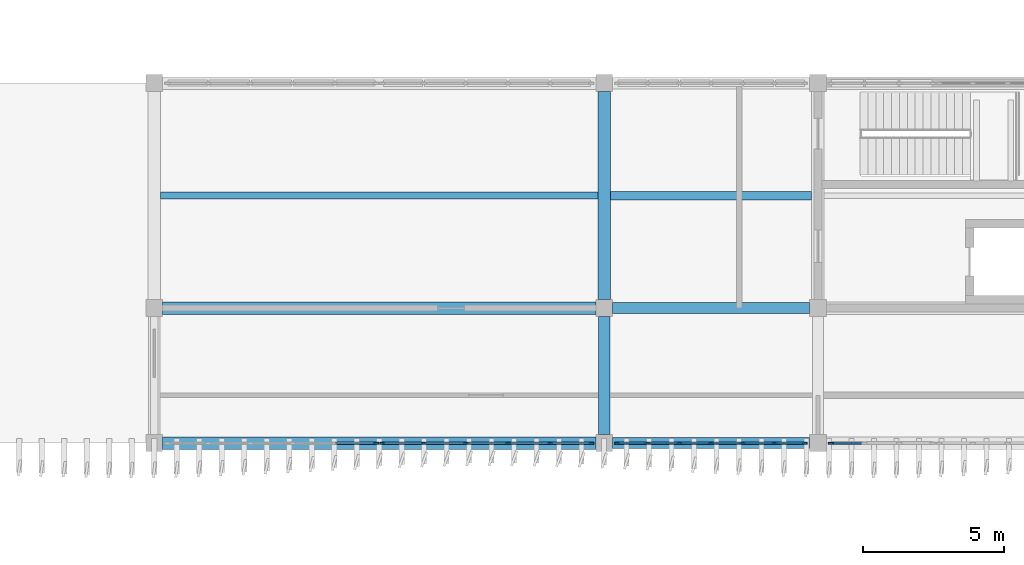
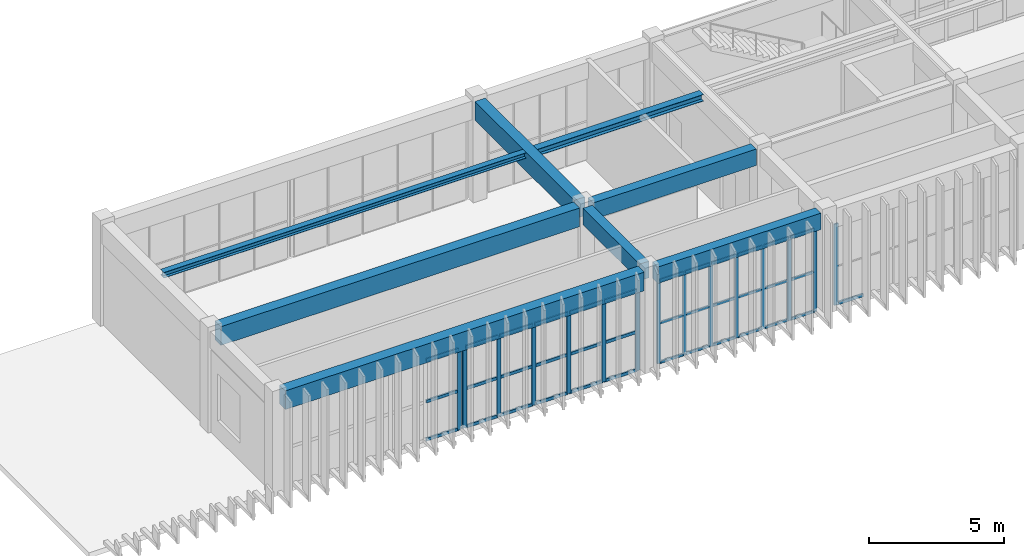
# One storey, part 32 of 76: 52 members, 8 beams, 4 elements without a shape of their own.
"""IFC4 building model written with IfcOpenShell, lengths in metres."""

from ifc_helpers import new_model, si_unit, direction, frame, origin, origin_2d, place, context, subcontext, project, spatial, rectangle, i_section, extrude, material, layer, layer_set, material_profile, profile_set, type_object, element, aggregate, save


model = new_model("IFC4")

# Units and contexts
model_context = context("Model", 3, precision=1e-05, world=origin(), true_north=direction((0.0, 1.0)))
body_context = subcontext(model_context, "Body", "Model", "MODEL_VIEW")
ifc_project = project(units=[si_unit("LENGTHUNIT", "METRE"), si_unit("AREAUNIT", "SQUARE_METRE"), si_unit("VOLUMEUNIT", "CUBIC_METRE"), si_unit("PLANEANGLEUNIT", "RADIAN"), si_unit("MASSUNIT", "GRAM", prefix="KILO")], contexts=[model_context])

# Site, building, storey
site_placement = place(None, origin())
site = spatial("IfcSite", under=ifc_project, at=site_placement, CompositionType="ELEMENT")
building_placement = place(site_placement, origin())
building = spatial("IfcBuilding", under=site, at=building_placement, Name="Cinchona Park Media Centre", CompositionType="ELEMENT")
storey_placement = place(building_placement, frame((0.0, 0.0, 15.60009765625)))
storey = spatial("IfcBuildingStorey", under=building, at=storey_placement, Name="L03", CompositionType="ELEMENT", Elevation=15.60009765625)

# Beams
ifc_material_1 = material(Name="Concrete C35/45", Category="concrete")
ifc_material_profile_1 = material_profile(ifc_material_1, rectangle(XDim=0.39990234375, YDim=0.75, at=origin_2d()), Name="RB 400X750")
ifc_profile_set_1 = profile_set([ifc_material_profile_1], Name="Concrete C35/45")
beam_type_1 = type_object("IfcBeamType", Name="BEAM-B01-RB400X750", PredefinedType="BEAM", material=ifc_profile_set_1)
for number, where, z_axis, x_axis, name in (
    (1, (79.10009765625, 74.800048828125, 4.204833984375), (1.0, 0.0, 0.0), (0.0, 1.0, 0.0), "Beam B01 L03"),
    (2, (79.10009765625, 79.60009765625, 4.204833984375), (1.0, 0.0, 0.0), (0.0, 1.0, 0.0), "Beam B01 L03"),
):
    element("IfcBeam", number, at=place(storey_placement, frame(where, z_axis=z_axis, x_axis=x_axis)), inside=storey, type_object=beam_type_1, Name=name, PredefinedType="BEAM", context=body_context, shape_type="SweptSolid", body=[
        extrude(rectangle(XDim=0.39990234375, YDim=0.75, at=origin_2d()), origin(), (0.0, 0.0, 1.0), 7.0),
    ])
beam_1_placement = place(storey_placement, frame((78.800048828125, 75.10009765625, 4.204833984375), z_axis=(0.0, 1.0, 0.0), x_axis=(-1.0, 0.0, 0.0)))
element("IfcBeam", 3, at=beam_1_placement, inside=storey, type_object=beam_type_1, Name="Girder B01 L03", PredefinedType="BEAM", context=body_context, shape_type="SweptSolid", body=[
    extrude(rectangle(XDim=0.39990234375, YDim=0.75, at=origin_2d()), origin(), (0.0, 0.0, 1.0), 4.199951171875),
])
ifc_material_2 = material(Name="Concrete C35/45", Category="concrete")
ifc_material_profile_2 = material_profile(ifc_material_2, rectangle(XDim=0.449951171875, YDim=0.85009765625, at=origin_2d()), Name="RB 450X850")
ifc_profile_set_2 = profile_set([ifc_material_profile_2], Name="Concrete C35/45")
beam_type_2 = type_object("IfcBeamType", Name="BEAM-B02-RB450X850", PredefinedType="BEAM", material=ifc_profile_set_2)
for number, where, z_axis, x_axis, name in (
    (4, (63.10009765625, 74.800048828125, 4.15478515625), (1.0, 0.0, 0.0), (0.0, 1.0, 0.0), "Beam B02 L03"),
    (5, (63.10009765625, 79.60009765625, 4.15478515625), (1.0, 0.0, 0.0), (0.0, 1.0, 0.0), "Beam B02 L03"),
):
    element("IfcBeam", number, at=place(storey_placement, frame(where, z_axis=z_axis, x_axis=x_axis)), inside=storey, type_object=beam_type_2, Name=name, PredefinedType="BEAM", context=body_context, shape_type="SweptSolid", body=[
        extrude(rectangle(XDim=0.449951171875, YDim=0.85009765625, at=origin_2d()), origin(), (0.0, 0.0, 1.0), 15.39990234375),
    ])
beam_2_placement = place(storey_placement, frame((78.800048828125, 79.89990234375, 4.15478515625), z_axis=(0.0, 1.0, 0.0), x_axis=(-1.0, 0.0, 0.0)))
element("IfcBeam", 6, at=beam_2_placement, inside=storey, type_object=beam_type_2, Name="Girder B02 L03", PredefinedType="BEAM", context=body_context, shape_type="SweptSolid", body=[
    extrude(rectangle(XDim=0.449951171875, YDim=0.85009765625, at=origin_2d()), origin(), (0.0, 0.0, 1.0), 7.400146484375),
])
ifc_material_3 = material(Name="Steel S355", Category="steel")
ifc_material_profile_3 = material_profile(ifc_material_3, i_section(OverallWidth=0.304931640625, OverallDepth=0.30810546875, WebThickness=0.010009765625, FlangeThickness=0.015380859375, at=origin_2d()), Name="W310X97")
ifc_profile_set_3 = profile_set([ifc_material_profile_3], Name="Steel S355")
beam_type_3 = type_object("IfcBeamType", Name="BEAM-J02-W310X97", PredefinedType="JOIST", material=ifc_profile_set_3)
beam_3_placement = place(storey_placement, frame((79.02490234375, 83.60009765625, 4.42578125), z_axis=(1.0, 0.0, 0.0), x_axis=(0.0, 1.0, 0.0)))
element("IfcBeam", 7, at=beam_3_placement, inside=storey, type_object=beam_type_3, Name="Floor Joist J02 L03", PredefinedType="JOIST", context=body_context, shape_type="SweptSolid", body=[
    extrude(i_section(OverallWidth=0.304931640625, OverallDepth=0.30810546875, WebThickness=0.010009765625, FlangeThickness=0.015380859375, at=origin_2d()), origin(), (0.0, 0.0, 1.0), 7.150146484375),
])
ifc_material_4 = material(Name="Steel S355", Category="steel")
ifc_material_profile_4 = material_profile(ifc_material_4, i_section(OverallWidth=0.25390625, OverallDepth=0.2529296875, WebThickness=0.008544921875, FlangeThickness=0.01416015625, at=origin_2d()), Name="W250X73")
ifc_profile_set_4 = profile_set([ifc_material_profile_4], Name="Steel S355")
beam_type_4 = type_object("IfcBeamType", Name="BEAM-J04-W250X73", PredefinedType="JOIST", material=ifc_profile_set_4)
beam_4_placement = place(storey_placement, frame((63.02490234375, 83.60009765625, 4.453369140625), z_axis=(1.0, 0.0, 0.0), x_axis=(0.0, 1.0, 0.0)))
element("IfcBeam", 8, at=beam_4_placement, inside=storey, type_object=beam_type_4, Name="Floor Joist J04 L03", PredefinedType="JOIST", context=body_context, shape_type="SweptSolid", body=[
    extrude(i_section(OverallWidth=0.25390625, OverallDepth=0.2529296875, WebThickness=0.008544921875, FlangeThickness=0.01416015625, at=origin_2d()), origin(), (0.0, 0.0, 1.0), 15.550048828125),
])

# Curtain wall, members
ifc_material_5 = material(Name="Aluminium Curtain Wall Framing", Category="aluminium")
ifc_layer_1 = layer(ifc_material_5, 0.179931640625)
ifc_layer_set_1 = layer_set([ifc_layer_1], Name="Aluminium Curtain Wall Framing")
curtain_wall_type_1 = type_object("IfcCurtainWallType", Name="CW-CW01", PredefinedType="USERDEFINED", material=ifc_layer_set_1)
curtain_wall_1_placement = place(storey_placement, origin())
curtain_wall_1 = element("IfcCurtainWall", 9, at=curtain_wall_1_placement, inside=storey, type_object=curtain_wall_type_1, Name="Curtain Wall CW01 L03", ObjectType="UNITISED CURTAIN WALL", PredefinedType="USERDEFINED")
ifc_material_6 = material(Name="Anodised Aluminium Alloy 6063-T6", Category="aluminium")
ifc_material_profile_5 = material_profile(ifc_material_6, rectangle(XDim=0.06494140625, YDim=0.159912109375, at=origin_2d()), Name="MUL-65X160")
ifc_profile_set_5 = profile_set([ifc_material_profile_5], Name="Anodised Aluminium Alloy 6063-T6")
member_type_1 = type_object("IfcMemberType", Name="MULLION-MUL01", PredefinedType="MULLION", material=ifc_profile_set_5)
member_1_placement = place(storey_placement, frame((85.947509765625, 74.800048828125, 0.0498046875), z_axis=(0.0, 0.0, 1.0), x_axis=(0.0, -1.0, 0.0)))
member_1 = element("IfcMember", 10, at=member_1_placement, type_object=member_type_1, Name="CW01 mullion 1", PredefinedType="MULLION", context=body_context, shape_type="SweptSolid", body=[
    extrude(rectangle(XDim=0.06494140625, YDim=0.159912109375, at=origin_2d()), origin(), (0.0, 0.0, 1.0), 3.780029296875),
])
member_2_placement = place(storey_placement, frame((84.853271484375, 74.800048828125, 0.0498046875), z_axis=(0.0, 0.0, 1.0), x_axis=(0.0, -1.0, 0.0)))
member_2 = element("IfcMember", 11, at=member_2_placement, type_object=member_type_1, Name="CW01 mullion 2", PredefinedType="MULLION", context=body_context, shape_type="SweptSolid", body=[
    extrude(rectangle(XDim=0.06494140625, YDim=0.159912109375, at=origin_2d()), origin(), (0.0, 0.0, 1.0), 3.780029296875),
])
member_3_placement = place(storey_placement, frame((83.7265625, 74.800048828125, 0.0498046875), z_axis=(0.0, 0.0, 1.0), x_axis=(0.0, -1.0, 0.0)))
member_3 = element("IfcMember", 12, at=member_3_placement, type_object=member_type_1, Name="CW01 mullion 3", PredefinedType="MULLION", context=body_context, shape_type="SweptSolid", body=[
    extrude(rectangle(XDim=0.06494140625, YDim=0.159912109375, at=origin_2d()), origin(), (0.0, 0.0, 1.0), 3.780029296875),
])
member_4_placement = place(storey_placement, frame((82.60009765625, 74.800048828125, 0.0498046875), z_axis=(0.0, 0.0, 1.0), x_axis=(0.0, -1.0, 0.0)))
member_4 = element("IfcMember", 13, at=member_4_placement, type_object=member_type_1, Name="CW01 mullion 4", PredefinedType="MULLION", context=body_context, shape_type="SweptSolid", body=[
    extrude(rectangle(XDim=0.06494140625, YDim=0.159912109375, at=origin_2d()), origin(), (0.0, 0.0, 1.0), 3.780029296875),
])
member_5_placement = place(storey_placement, frame((81.473388671875, 74.800048828125, 0.0498046875), z_axis=(0.0, 0.0, 1.0), x_axis=(0.0, -1.0, 0.0)))
member_5 = element("IfcMember", 14, at=member_5_placement, type_object=member_type_1, Name="CW01 mullion 5", PredefinedType="MULLION", context=body_context, shape_type="SweptSolid", body=[
    extrude(rectangle(XDim=0.06494140625, YDim=0.159912109375, at=origin_2d()), origin(), (0.0, 0.0, 1.0), 3.780029296875),
])
member_6_placement = place(storey_placement, frame((80.3466796875, 74.800048828125, 0.0498046875), z_axis=(0.0, 0.0, 1.0), x_axis=(0.0, -1.0, 0.0)))
member_6 = element("IfcMember", 15, at=member_6_placement, type_object=member_type_1, Name="CW01 mullion 6", PredefinedType="MULLION", context=body_context, shape_type="SweptSolid", body=[
    extrude(rectangle(XDim=0.06494140625, YDim=0.159912109375, at=origin_2d()), origin(), (0.0, 0.0, 1.0), 3.780029296875),
])
member_7_placement = place(storey_placement, frame((79.25244140625, 74.800048828125, 0.0498046875), z_axis=(0.0, 0.0, 1.0), x_axis=(0.0, -1.0, 0.0)))
member_7 = element("IfcMember", 16, at=member_7_placement, type_object=member_type_1, Name="CW01 mullion 7", PredefinedType="MULLION", context=body_context, shape_type="SweptSolid", body=[
    extrude(rectangle(XDim=0.06494140625, YDim=0.159912109375, at=origin_2d()), origin(), (0.0, 0.0, 1.0), 3.780029296875),
])

ifc_material_7 = material(Name="Aluminium Curtain Wall Framing", Category="aluminium")
ifc_layer_2 = layer(ifc_material_7, 0.284912109375)
ifc_layer_set_2 = layer_set([ifc_layer_2], Name="Aluminium Curtain Wall Framing")
curtain_wall_type_2 = type_object("IfcCurtainWallType", Name="CW-CW08", PredefinedType="USERDEFINED", material=ifc_layer_set_2)
curtain_wall_2_placement = place(storey_placement, origin())
curtain_wall_2 = element("IfcCurtainWall", 17, at=curtain_wall_2_placement, inside=storey, type_object=curtain_wall_type_2, Name="Curtain Wall CW08 L03", ObjectType="UNITISED CURTAIN WALL", PredefinedType="USERDEFINED")
ifc_material_8 = material(Name="Anodised Aluminium Alloy 6063-T6", Category="aluminium")
ifc_material_profile_6 = material_profile(ifc_material_8, rectangle(XDim=0.070068359375, YDim=0.179931640625, at=origin_2d()), Name="MUL-70X180")
ifc_profile_set_6 = profile_set([ifc_material_profile_6], Name="Anodised Aluminium Alloy 6063-T6")
member_type_2 = type_object("IfcMemberType", Name="MULLION-MUL02", PredefinedType="MULLION", material=ifc_profile_set_6)
member_8_placement = place(storey_placement, frame((78.344970703125, 74.800048828125, 0.0498046875), z_axis=(0.0, 0.0, 1.0), x_axis=(0.0, -1.0, 0.0)))
member_8 = element("IfcMember", 18, at=member_8_placement, type_object=member_type_2, Name="CW08 mullion 1", PredefinedType="MULLION", context=body_context, shape_type="SweptSolid", body=[
    extrude(rectangle(XDim=0.070068359375, YDim=0.179931640625, at=origin_2d()), origin(), (0.0, 0.0, 1.0), 3.68017578125),
])
member_9_placement = place(storey_placement, frame((76.8798828125, 74.800048828125, 0.0498046875), z_axis=(0.0, 0.0, 1.0), x_axis=(0.0, -1.0, 0.0)))
member_9 = element("IfcMember", 19, at=member_9_placement, type_object=member_type_2, Name="CW08 mullion 2", PredefinedType="MULLION", context=body_context, shape_type="SweptSolid", body=[
    extrude(rectangle(XDim=0.070068359375, YDim=0.179931640625, at=origin_2d()), origin(), (0.0, 0.0, 1.0), 3.68017578125),
])
member_10_placement = place(storey_placement, frame((75.3798828125, 74.800048828125, 0.0498046875), z_axis=(0.0, 0.0, 1.0), x_axis=(0.0, -1.0, 0.0)))
member_10 = element("IfcMember", 20, at=member_10_placement, type_object=member_type_2, Name="CW08 mullion 3", PredefinedType="MULLION", context=body_context, shape_type="SweptSolid", body=[
    extrude(rectangle(XDim=0.070068359375, YDim=0.179931640625, at=origin_2d()), origin(), (0.0, 0.0, 1.0), 3.68017578125),
])
member_11_placement = place(storey_placement, frame((73.8798828125, 74.800048828125, 0.0498046875), z_axis=(0.0, 0.0, 1.0), x_axis=(0.0, -1.0, 0.0)))
member_11 = element("IfcMember", 21, at=member_11_placement, type_object=member_type_2, Name="CW08 mullion 4", PredefinedType="MULLION", context=body_context, shape_type="SweptSolid", body=[
    extrude(rectangle(XDim=0.070068359375, YDim=0.179931640625, at=origin_2d()), origin(), (0.0, 0.0, 1.0), 3.68017578125),
])
member_12_placement = place(storey_placement, frame((72.3798828125, 74.800048828125, 0.0498046875), z_axis=(0.0, 0.0, 1.0), x_axis=(0.0, -1.0, 0.0)))
member_12 = element("IfcMember", 22, at=member_12_placement, type_object=member_type_2, Name="CW08 mullion 5", PredefinedType="MULLION", context=body_context, shape_type="SweptSolid", body=[
    extrude(rectangle(XDim=0.070068359375, YDim=0.179931640625, at=origin_2d()), origin(), (0.0, 0.0, 1.0), 3.68017578125),
])
member_13_placement = place(storey_placement, frame((70.9150390625, 74.800048828125, 0.0498046875), z_axis=(0.0, 0.0, 1.0), x_axis=(0.0, -1.0, 0.0)))
member_13 = element("IfcMember", 23, at=member_13_placement, type_object=member_type_2, Name="CW08 mullion 6", PredefinedType="MULLION", context=body_context, shape_type="SweptSolid", body=[
    extrude(rectangle(XDim=0.070068359375, YDim=0.179931640625, at=origin_2d()), origin(), (0.0, 0.0, 1.0), 3.68017578125),
])

# Curtain wall, member
ifc_material_9 = material(Name="Aluminium Curtain Wall Framing", Category="aluminium")
ifc_layer_3 = layer(ifc_material_9, 0.300048828125)
ifc_layer_set_3 = layer_set([ifc_layer_3], Name="Aluminium Curtain Wall Framing")
curtain_wall_type_3 = type_object("IfcCurtainWallType", Name="CW-CW09", PredefinedType="USERDEFINED", material=ifc_layer_set_3)
curtain_wall_3_placement = place(storey_placement, origin())
curtain_wall_3 = element("IfcCurtainWall", 24, at=curtain_wall_3_placement, inside=storey, type_object=curtain_wall_type_3, Name="Curtain Wall CW09 L03", ObjectType="UNITISED CURTAIN WALL", PredefinedType="USERDEFINED")
member_14_placement = place(storey_placement, frame((70.68505859375, 74.800048828125, 0.0498046875), z_axis=(0.0, 0.0, 1.0), x_axis=(0.0, -1.0, 0.0)))
member_14 = element("IfcMember", 25, at=member_14_placement, type_object=member_type_2, Name="CW09 mullion 1", PredefinedType="MULLION", context=body_context, shape_type="SweptSolid", body=[
    extrude(rectangle(XDim=0.070068359375, YDim=0.179931640625, at=origin_2d()), origin(), (0.0, 0.0, 1.0), 3.68017578125),
])

ifc_material_10 = material(Name="Aluminium Curtain Wall Framing", Category="aluminium")
ifc_layer_4 = layer(ifc_material_10, 0.2099609375)
ifc_layer_set_4 = layer_set([ifc_layer_4], Name="Aluminium Curtain Wall Framing")
curtain_wall_type_4 = type_object("IfcCurtainWallType", Name="CW-CW03", PredefinedType="USERDEFINED", material=ifc_layer_set_4)
curtain_wall_4_placement = place(storey_placement, origin())
curtain_wall_4 = element("IfcCurtainWall", 26, at=curtain_wall_4_placement, inside=storey, type_object=curtain_wall_type_4, Name="Curtain Wall CW03 L03", ObjectType="UNITISED CURTAIN WALL", PredefinedType="USERDEFINED")
member_15_placement = place(storey_placement, frame((86.85498046875, 74.800048828125, 0.0498046875), z_axis=(0.0, 0.0, 1.0), x_axis=(0.0, -1.0, 0.0)))
member_15 = element("IfcMember", 27, at=member_15_placement, type_object=member_type_2, Name="CW03 mullion 4", PredefinedType="MULLION", context=body_context, shape_type="SweptSolid", body=[
    extrude(rectangle(XDim=0.070068359375, YDim=0.179931640625, at=origin_2d()), origin(), (0.0, 0.0, 1.0), 3.68017578125),
])

# Member
ifc_material_11 = material(Name="Anodised Aluminium Alloy 6063-T6", Category="aluminium")
ifc_material_profile_7 = material_profile(ifc_material_11, rectangle(XDim=0.06494140625, YDim=0.1201171875, at=origin_2d()), Name="TRN-65X120")
ifc_profile_set_7 = profile_set([ifc_material_profile_7], Name="Anodised Aluminium Alloy 6063-T6")
member_type_3 = type_object("IfcMemberType", Name="TRANSOM-TRN01", PredefinedType="USERDEFINED", material=ifc_profile_set_7)
member_16_placement = place(storey_placement, frame((85.9150390625, 74.800048828125, 0.08251953125), z_axis=(-1.0, 0.0, 0.0), x_axis=(0.0, -1.0, 0.0)))
member_16 = element("IfcMember", 28, at=member_16_placement, type_object=member_type_3, Name="CW01 transom 1.1", ObjectType="TRANSOM", PredefinedType="USERDEFINED", context=body_context, shape_type="SweptSolid", body=[
    extrude(rectangle(XDim=0.06494140625, YDim=0.1201171875, at=origin_2d()), origin(), (0.0, 0.0, 1.0), 1.029296875),
])

member_17_placement = place(storey_placement, frame((85.9150390625, 74.800048828125, 1.864013671875), z_axis=(-1.0, 0.0, 0.0), x_axis=(0.0, -1.0, 0.0)))
member_17 = element("IfcMember", 29, at=member_17_placement, type_object=member_type_3, Name="CW01 transom 1.2", ObjectType="TRANSOM", PredefinedType="USERDEFINED", context=body_context, shape_type="SweptSolid", body=[
    extrude(rectangle(XDim=0.06494140625, YDim=0.1201171875, at=origin_2d()), origin(), (0.0, 0.0, 1.0), 1.029296875),
])

member_18_placement = place(storey_placement, frame((85.9150390625, 74.800048828125, 3.79736328125), z_axis=(-1.0, 0.0, 0.0), x_axis=(0.0, -1.0, 0.0)))
member_18 = element("IfcMember", 30, at=member_18_placement, type_object=member_type_3, Name="CW01 transom 1.3", ObjectType="TRANSOM", PredefinedType="USERDEFINED", context=body_context, shape_type="SweptSolid", body=[
    extrude(rectangle(XDim=0.06494140625, YDim=0.1201171875, at=origin_2d()), origin(), (0.0, 0.0, 1.0), 1.029296875),
])

member_19_placement = place(storey_placement, frame((84.82080078125, 74.800048828125, 0.08251953125), z_axis=(-1.0, 0.0, 0.0), x_axis=(0.0, -1.0, 0.0)))
member_19 = element("IfcMember", 31, at=member_19_placement, type_object=member_type_3, Name="CW01 transom 2.1", ObjectType="TRANSOM", PredefinedType="USERDEFINED", context=body_context, shape_type="SweptSolid", body=[
    extrude(rectangle(XDim=0.06494140625, YDim=0.1201171875, at=origin_2d()), origin(), (0.0, 0.0, 1.0), 1.0615234375),
])

member_20_placement = place(storey_placement, frame((84.82080078125, 74.800048828125, 1.864013671875), z_axis=(-1.0, 0.0, 0.0), x_axis=(0.0, -1.0, 0.0)))
member_20 = element("IfcMember", 32, at=member_20_placement, type_object=member_type_3, Name="CW01 transom 2.2", ObjectType="TRANSOM", PredefinedType="USERDEFINED", context=body_context, shape_type="SweptSolid", body=[
    extrude(rectangle(XDim=0.06494140625, YDim=0.1201171875, at=origin_2d()), origin(), (0.0, 0.0, 1.0), 1.0615234375),
])

member_21_placement = place(storey_placement, frame((84.82080078125, 74.800048828125, 3.79736328125), z_axis=(-1.0, 0.0, 0.0), x_axis=(0.0, -1.0, 0.0)))
member_21 = element("IfcMember", 33, at=member_21_placement, type_object=member_type_3, Name="CW01 transom 2.3", ObjectType="TRANSOM", PredefinedType="USERDEFINED", context=body_context, shape_type="SweptSolid", body=[
    extrude(rectangle(XDim=0.06494140625, YDim=0.1201171875, at=origin_2d()), origin(), (0.0, 0.0, 1.0), 1.0615234375),
])

member_22_placement = place(storey_placement, frame((83.694091796875, 74.800048828125, 0.08251953125), z_axis=(-1.0, 0.0, 0.0), x_axis=(0.0, -1.0, 0.0)))
member_22 = element("IfcMember", 34, at=member_22_placement, type_object=member_type_3, Name="CW01 transom 3.1", ObjectType="TRANSOM", PredefinedType="USERDEFINED", context=body_context, shape_type="SweptSolid", body=[
    extrude(rectangle(XDim=0.06494140625, YDim=0.1201171875, at=origin_2d()), origin(), (0.0, 0.0, 1.0), 1.0615234375),
])

member_23_placement = place(storey_placement, frame((83.694091796875, 74.800048828125, 1.864013671875), z_axis=(-1.0, 0.0, 0.0), x_axis=(0.0, -1.0, 0.0)))
member_23 = element("IfcMember", 35, at=member_23_placement, type_object=member_type_3, Name="CW01 transom 3.2", ObjectType="TRANSOM", PredefinedType="USERDEFINED", context=body_context, shape_type="SweptSolid", body=[
    extrude(rectangle(XDim=0.06494140625, YDim=0.1201171875, at=origin_2d()), origin(), (0.0, 0.0, 1.0), 1.0615234375),
])

member_24_placement = place(storey_placement, frame((83.694091796875, 74.800048828125, 3.79736328125), z_axis=(-1.0, 0.0, 0.0), x_axis=(0.0, -1.0, 0.0)))
member_24 = element("IfcMember", 36, at=member_24_placement, type_object=member_type_3, Name="CW01 transom 3.3", ObjectType="TRANSOM", PredefinedType="USERDEFINED", context=body_context, shape_type="SweptSolid", body=[
    extrude(rectangle(XDim=0.06494140625, YDim=0.1201171875, at=origin_2d()), origin(), (0.0, 0.0, 1.0), 1.0615234375),
])

member_25_placement = place(storey_placement, frame((82.5673828125, 74.800048828125, 0.08251953125), z_axis=(-1.0, 0.0, 0.0), x_axis=(0.0, -1.0, 0.0)))
member_25 = element("IfcMember", 37, at=member_25_placement, type_object=member_type_3, Name="CW01 transom 4.1", ObjectType="TRANSOM", PredefinedType="USERDEFINED", context=body_context, shape_type="SweptSolid", body=[
    extrude(rectangle(XDim=0.06494140625, YDim=0.1201171875, at=origin_2d()), origin(), (0.0, 0.0, 1.0), 1.0615234375),
])

member_26_placement = place(storey_placement, frame((82.5673828125, 74.800048828125, 1.864013671875), z_axis=(-1.0, 0.0, 0.0), x_axis=(0.0, -1.0, 0.0)))
member_26 = element("IfcMember", 38, at=member_26_placement, type_object=member_type_3, Name="CW01 transom 4.2", ObjectType="TRANSOM", PredefinedType="USERDEFINED", context=body_context, shape_type="SweptSolid", body=[
    extrude(rectangle(XDim=0.06494140625, YDim=0.1201171875, at=origin_2d()), origin(), (0.0, 0.0, 1.0), 1.0615234375),
])

member_27_placement = place(storey_placement, frame((82.5673828125, 74.800048828125, 3.79736328125), z_axis=(-1.0, 0.0, 0.0), x_axis=(0.0, -1.0, 0.0)))
member_27 = element("IfcMember", 39, at=member_27_placement, type_object=member_type_3, Name="CW01 transom 4.3", ObjectType="TRANSOM", PredefinedType="USERDEFINED", context=body_context, shape_type="SweptSolid", body=[
    extrude(rectangle(XDim=0.06494140625, YDim=0.1201171875, at=origin_2d()), origin(), (0.0, 0.0, 1.0), 1.0615234375),
])

member_28_placement = place(storey_placement, frame((81.44091796875, 74.800048828125, 0.08251953125), z_axis=(-1.0, 0.0, 0.0), x_axis=(0.0, -1.0, 0.0)))
member_28 = element("IfcMember", 40, at=member_28_placement, type_object=member_type_3, Name="CW01 transom 5.1", ObjectType="TRANSOM", PredefinedType="USERDEFINED", context=body_context, shape_type="SweptSolid", body=[
    extrude(rectangle(XDim=0.06494140625, YDim=0.1201171875, at=origin_2d()), origin(), (0.0, 0.0, 1.0), 1.061767578125),
])

member_29_placement = place(storey_placement, frame((81.44091796875, 74.800048828125, 1.864013671875), z_axis=(-1.0, 0.0, 0.0), x_axis=(0.0, -1.0, 0.0)))
member_29 = element("IfcMember", 41, at=member_29_placement, type_object=member_type_3, Name="CW01 transom 5.2", ObjectType="TRANSOM", PredefinedType="USERDEFINED", context=body_context, shape_type="SweptSolid", body=[
    extrude(rectangle(XDim=0.06494140625, YDim=0.1201171875, at=origin_2d()), origin(), (0.0, 0.0, 1.0), 1.061767578125),
])

member_30_placement = place(storey_placement, frame((81.44091796875, 74.800048828125, 3.79736328125), z_axis=(-1.0, 0.0, 0.0), x_axis=(0.0, -1.0, 0.0)))
member_30 = element("IfcMember", 42, at=member_30_placement, type_object=member_type_3, Name="CW01 transom 5.3", ObjectType="TRANSOM", PredefinedType="USERDEFINED", context=body_context, shape_type="SweptSolid", body=[
    extrude(rectangle(XDim=0.06494140625, YDim=0.1201171875, at=origin_2d()), origin(), (0.0, 0.0, 1.0), 1.061767578125),
])

member_31_placement = place(storey_placement, frame((80.314208984375, 74.800048828125, 0.08251953125), z_axis=(-1.0, 0.0, 0.0), x_axis=(0.0, -1.0, 0.0)))
member_31 = element("IfcMember", 43, at=member_31_placement, type_object=member_type_3, Name="CW01 transom 6.1", ObjectType="TRANSOM", PredefinedType="USERDEFINED", context=body_context, shape_type="SweptSolid", body=[
    extrude(rectangle(XDim=0.06494140625, YDim=0.1201171875, at=origin_2d()), origin(), (0.0, 0.0, 1.0), 1.029296875),
])

member_32_placement = place(storey_placement, frame((80.314208984375, 74.800048828125, 1.864013671875), z_axis=(-1.0, 0.0, 0.0), x_axis=(0.0, -1.0, 0.0)))
member_32 = element("IfcMember", 44, at=member_32_placement, type_object=member_type_3, Name="CW01 transom 6.2", ObjectType="TRANSOM", PredefinedType="USERDEFINED", context=body_context, shape_type="SweptSolid", body=[
    extrude(rectangle(XDim=0.06494140625, YDim=0.1201171875, at=origin_2d()), origin(), (0.0, 0.0, 1.0), 1.029296875),
])

member_33_placement = place(storey_placement, frame((80.314208984375, 74.800048828125, 3.79736328125), z_axis=(-1.0, 0.0, 0.0), x_axis=(0.0, -1.0, 0.0)))
member_33 = element("IfcMember", 45, at=member_33_placement, type_object=member_type_3, Name="CW01 transom 6.3", ObjectType="TRANSOM", PredefinedType="USERDEFINED", context=body_context, shape_type="SweptSolid", body=[
    extrude(rectangle(XDim=0.06494140625, YDim=0.1201171875, at=origin_2d()), origin(), (0.0, 0.0, 1.0), 1.029296875),
])

aggregate(curtain_wall_1, [member_1, member_2, member_3, member_4, member_5, member_6, member_7, member_16, member_17, member_18, member_19, member_20, member_21, member_22, member_23, member_24, member_25, member_26, member_27, member_28, member_29, member_30, member_31, member_32, member_33])

ifc_material_12 = material(Name="Anodised Aluminium Alloy 6063-T6", Category="aluminium")
ifc_material_profile_8 = material_profile(ifc_material_12, rectangle(XDim=0.070068359375, YDim=0.139892578125, at=origin_2d()), Name="TRN-70X140")
ifc_profile_set_8 = profile_set([ifc_material_profile_8], Name="Anodised Aluminium Alloy 6063-T6")
member_type_4 = type_object("IfcMemberType", Name="TRANSOM-TRN02", PredefinedType="USERDEFINED", material=ifc_profile_set_8)
member_34_placement = place(storey_placement, frame((78.31005859375, 74.800048828125, 0.0849609375), z_axis=(-1.0, 0.0, 0.0), x_axis=(0.0, -1.0, 0.0)))
member_34 = element("IfcMember", 46, at=member_34_placement, type_object=member_type_4, Name="CW08 transom 1.1", ObjectType="TRANSOM", PredefinedType="USERDEFINED", context=body_context, shape_type="SweptSolid", body=[
    extrude(rectangle(XDim=0.070068359375, YDim=0.139892578125, at=origin_2d()), origin(), (0.0, 0.0, 1.0), 1.39501953125),
])

member_35_placement = place(storey_placement, frame((78.31005859375, 74.800048828125, 1.81591796875), z_axis=(-1.0, 0.0, 0.0), x_axis=(0.0, -1.0, 0.0)))
member_35 = element("IfcMember", 47, at=member_35_placement, type_object=member_type_4, Name="CW08 transom 1.2", ObjectType="TRANSOM", PredefinedType="USERDEFINED", context=body_context, shape_type="SweptSolid", body=[
    extrude(rectangle(XDim=0.070068359375, YDim=0.139892578125, at=origin_2d()), origin(), (0.0, 0.0, 1.0), 1.39501953125),
])

member_36_placement = place(storey_placement, frame((78.31005859375, 74.800048828125, 3.69482421875), z_axis=(-1.0, 0.0, 0.0), x_axis=(0.0, -1.0, 0.0)))
member_36 = element("IfcMember", 48, at=member_36_placement, type_object=member_type_4, Name="CW08 transom 1.3", ObjectType="TRANSOM", PredefinedType="USERDEFINED", context=body_context, shape_type="SweptSolid", body=[
    extrude(rectangle(XDim=0.070068359375, YDim=0.139892578125, at=origin_2d()), origin(), (0.0, 0.0, 1.0), 1.39501953125),
])

member_37_placement = place(storey_placement, frame((76.844970703125, 74.800048828125, 0.0849609375), z_axis=(-1.0, 0.0, 0.0), x_axis=(0.0, -1.0, 0.0)))
member_37 = element("IfcMember", 49, at=member_37_placement, type_object=member_type_4, Name="CW08 transom 2.1", ObjectType="TRANSOM", PredefinedType="USERDEFINED", context=body_context, shape_type="SweptSolid", body=[
    extrude(rectangle(XDim=0.070068359375, YDim=0.139892578125, at=origin_2d()), origin(), (0.0, 0.0, 1.0), 1.429931640625),
])

member_38_placement = place(storey_placement, frame((76.844970703125, 74.800048828125, 1.81591796875), z_axis=(-1.0, 0.0, 0.0), x_axis=(0.0, -1.0, 0.0)))
member_38 = element("IfcMember", 50, at=member_38_placement, type_object=member_type_4, Name="CW08 transom 2.2", ObjectType="TRANSOM", PredefinedType="USERDEFINED", context=body_context, shape_type="SweptSolid", body=[
    extrude(rectangle(XDim=0.070068359375, YDim=0.139892578125, at=origin_2d()), origin(), (0.0, 0.0, 1.0), 1.429931640625),
])

member_39_placement = place(storey_placement, frame((76.844970703125, 74.800048828125, 3.69482421875), z_axis=(-1.0, 0.0, 0.0), x_axis=(0.0, -1.0, 0.0)))
member_39 = element("IfcMember", 51, at=member_39_placement, type_object=member_type_4, Name="CW08 transom 2.3", ObjectType="TRANSOM", PredefinedType="USERDEFINED", context=body_context, shape_type="SweptSolid", body=[
    extrude(rectangle(XDim=0.070068359375, YDim=0.139892578125, at=origin_2d()), origin(), (0.0, 0.0, 1.0), 1.429931640625),
])

member_40_placement = place(storey_placement, frame((75.344970703125, 74.800048828125, 0.0849609375), z_axis=(-1.0, 0.0, 0.0), x_axis=(0.0, -1.0, 0.0)))
member_40 = element("IfcMember", 52, at=member_40_placement, type_object=member_type_4, Name="CW08 transom 3.1", ObjectType="TRANSOM", PredefinedType="USERDEFINED", context=body_context, shape_type="SweptSolid", body=[
    extrude(rectangle(XDim=0.070068359375, YDim=0.139892578125, at=origin_2d()), origin(), (0.0, 0.0, 1.0), 1.429931640625),
])

member_41_placement = place(storey_placement, frame((75.344970703125, 74.800048828125, 1.81591796875), z_axis=(-1.0, 0.0, 0.0), x_axis=(0.0, -1.0, 0.0)))
member_41 = element("IfcMember", 53, at=member_41_placement, type_object=member_type_4, Name="CW08 transom 3.2", ObjectType="TRANSOM", PredefinedType="USERDEFINED", context=body_context, shape_type="SweptSolid", body=[
    extrude(rectangle(XDim=0.070068359375, YDim=0.139892578125, at=origin_2d()), origin(), (0.0, 0.0, 1.0), 1.429931640625),
])

member_42_placement = place(storey_placement, frame((75.344970703125, 74.800048828125, 3.69482421875), z_axis=(-1.0, 0.0, 0.0), x_axis=(0.0, -1.0, 0.0)))
member_42 = element("IfcMember", 54, at=member_42_placement, type_object=member_type_4, Name="CW08 transom 3.3", ObjectType="TRANSOM", PredefinedType="USERDEFINED", context=body_context, shape_type="SweptSolid", body=[
    extrude(rectangle(XDim=0.070068359375, YDim=0.139892578125, at=origin_2d()), origin(), (0.0, 0.0, 1.0), 1.429931640625),
])

member_43_placement = place(storey_placement, frame((73.844970703125, 74.800048828125, 0.0849609375), z_axis=(-1.0, 0.0, 0.0), x_axis=(0.0, -1.0, 0.0)))
member_43 = element("IfcMember", 55, at=member_43_placement, type_object=member_type_4, Name="CW08 transom 4.1", ObjectType="TRANSOM", PredefinedType="USERDEFINED", context=body_context, shape_type="SweptSolid", body=[
    extrude(rectangle(XDim=0.070068359375, YDim=0.139892578125, at=origin_2d()), origin(), (0.0, 0.0, 1.0), 1.429931640625),
])

member_44_placement = place(storey_placement, frame((73.844970703125, 74.800048828125, 1.81591796875), z_axis=(-1.0, 0.0, 0.0), x_axis=(0.0, -1.0, 0.0)))
member_44 = element("IfcMember", 56, at=member_44_placement, type_object=member_type_4, Name="CW08 transom 4.2", ObjectType="TRANSOM", PredefinedType="USERDEFINED", context=body_context, shape_type="SweptSolid", body=[
    extrude(rectangle(XDim=0.070068359375, YDim=0.139892578125, at=origin_2d()), origin(), (0.0, 0.0, 1.0), 1.429931640625),
])

member_45_placement = place(storey_placement, frame((73.844970703125, 74.800048828125, 3.69482421875), z_axis=(-1.0, 0.0, 0.0), x_axis=(0.0, -1.0, 0.0)))
member_45 = element("IfcMember", 57, at=member_45_placement, type_object=member_type_4, Name="CW08 transom 4.3", ObjectType="TRANSOM", PredefinedType="USERDEFINED", context=body_context, shape_type="SweptSolid", body=[
    extrude(rectangle(XDim=0.070068359375, YDim=0.139892578125, at=origin_2d()), origin(), (0.0, 0.0, 1.0), 1.429931640625),
])

member_46_placement = place(storey_placement, frame((72.344970703125, 74.800048828125, 0.0849609375), z_axis=(-1.0, 0.0, 0.0), x_axis=(0.0, -1.0, 0.0)))
member_46 = element("IfcMember", 58, at=member_46_placement, type_object=member_type_4, Name="CW08 transom 5.1", ObjectType="TRANSOM", PredefinedType="USERDEFINED", context=body_context, shape_type="SweptSolid", body=[
    extrude(rectangle(XDim=0.070068359375, YDim=0.139892578125, at=origin_2d()), origin(), (0.0, 0.0, 1.0), 1.39501953125),
])

member_47_placement = place(storey_placement, frame((72.344970703125, 74.800048828125, 1.81591796875), z_axis=(-1.0, 0.0, 0.0), x_axis=(0.0, -1.0, 0.0)))
member_47 = element("IfcMember", 59, at=member_47_placement, type_object=member_type_4, Name="CW08 transom 5.2", ObjectType="TRANSOM", PredefinedType="USERDEFINED", context=body_context, shape_type="SweptSolid", body=[
    extrude(rectangle(XDim=0.070068359375, YDim=0.139892578125, at=origin_2d()), origin(), (0.0, 0.0, 1.0), 1.39501953125),
])

member_48_placement = place(storey_placement, frame((72.344970703125, 74.800048828125, 3.69482421875), z_axis=(-1.0, 0.0, 0.0), x_axis=(0.0, -1.0, 0.0)))
member_48 = element("IfcMember", 60, at=member_48_placement, type_object=member_type_4, Name="CW08 transom 5.3", ObjectType="TRANSOM", PredefinedType="USERDEFINED", context=body_context, shape_type="SweptSolid", body=[
    extrude(rectangle(XDim=0.070068359375, YDim=0.139892578125, at=origin_2d()), origin(), (0.0, 0.0, 1.0), 1.39501953125),
])

aggregate(curtain_wall_2, [member_8, member_9, member_10, member_11, member_12, member_13, member_34, member_35, member_36, member_37, member_38, member_39, member_40, member_41, member_42, member_43, member_44, member_45, member_46, member_47, member_48])

member_49_placement = place(storey_placement, frame((70.64990234375, 74.800048828125, 0.0849609375), z_axis=(-1.0, 0.0, 0.0), x_axis=(0.0, -1.0, 0.0)))
member_49 = element("IfcMember", 61, at=member_49_placement, type_object=member_type_4, Name="CW09 transom 1.1", ObjectType="TRANSOM", PredefinedType="USERDEFINED", context=body_context, shape_type="SweptSolid", body=[
    extrude(rectangle(XDim=0.070068359375, YDim=0.139892578125, at=origin_2d()), origin(), (0.0, 0.0, 1.0), 1.39501953125),
])

member_50_placement = place(storey_placement, frame((70.64990234375, 74.800048828125, 1.81591796875), z_axis=(-1.0, 0.0, 0.0), x_axis=(0.0, -1.0, 0.0)))
member_50 = element("IfcMember", 62, at=member_50_placement, type_object=member_type_4, Name="CW09 transom 1.2", ObjectType="TRANSOM", PredefinedType="USERDEFINED", context=body_context, shape_type="SweptSolid", body=[
    extrude(rectangle(XDim=0.070068359375, YDim=0.139892578125, at=origin_2d()), origin(), (0.0, 0.0, 1.0), 1.39501953125),
])

member_51_placement = place(storey_placement, frame((70.64990234375, 74.800048828125, 3.69482421875), z_axis=(-1.0, 0.0, 0.0), x_axis=(0.0, -1.0, 0.0)))
member_51 = element("IfcMember", 63, at=member_51_placement, type_object=member_type_4, Name="CW09 transom 1.3", ObjectType="TRANSOM", PredefinedType="USERDEFINED", context=body_context, shape_type="SweptSolid", body=[
    extrude(rectangle(XDim=0.070068359375, YDim=0.139892578125, at=origin_2d()), origin(), (0.0, 0.0, 1.0), 1.39501953125),
])

aggregate(curtain_wall_3, [member_14, member_49, member_50, member_51])

member_52_placement = place(storey_placement, frame((88.018310546875, 74.800048828125, 0.0849609375), z_axis=(-1.0, 0.0, 0.0), x_axis=(0.0, -1.0, 0.0)))
member_52 = element("IfcMember", 64, at=member_52_placement, type_object=member_type_4, Name="CW03 transom 3.1", ObjectType="TRANSOM", PredefinedType="USERDEFINED", context=body_context, shape_type="SweptSolid", body=[
    extrude(rectangle(XDim=0.070068359375, YDim=0.139892578125, at=origin_2d()), origin(), (0.0, 0.0, 1.0), 1.12841796875),
])

aggregate(curtain_wall_4, [member_15, member_52])

save(model, "model.ifc")
